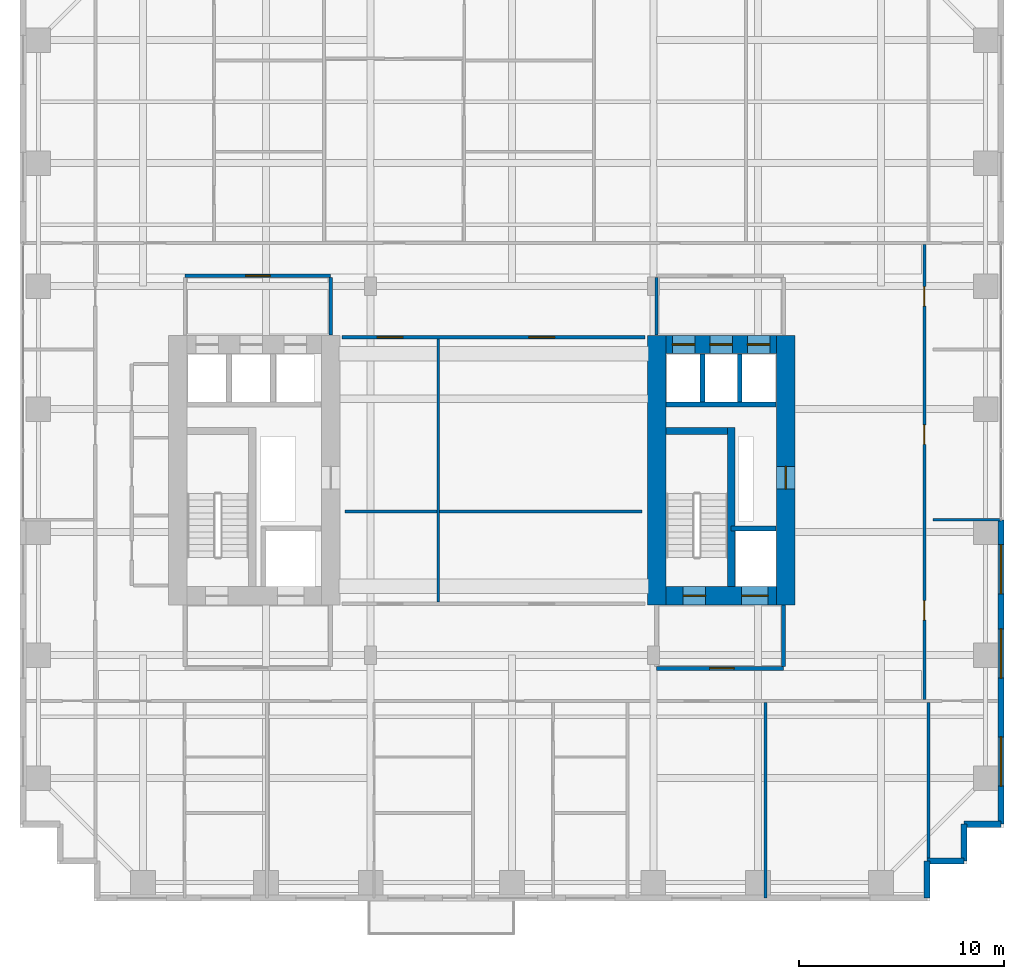
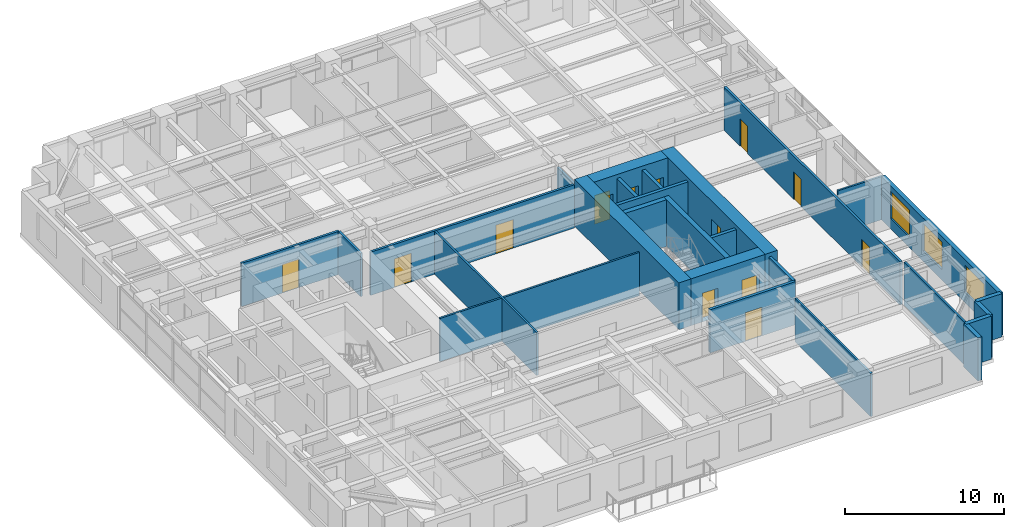
# One storey, part 13 of 19: 27 walls, 13 doors, 3 windows, 16 openings.
"""IFC4 building model written with IfcOpenShell, lengths in metres."""

from ifc_helpers import new_model, si_unit, direction, frame, frame_2d, origin, place, context, subcontext, project, spatial, rectangle, extrude, source, transform, mapped, material, layer, layer_set, type_object, element, fill, save


model = new_model("IFC4")

# Units and contexts
model_context = context("Model", 3, precision=1e-05, world=origin(), true_north=direction((0.0, 1.0)))
body_context = subcontext(model_context, "Body", "Model", "MODEL_VIEW")
ifc_project = project(units=[si_unit("LENGTHUNIT", "METRE"), si_unit("AREAUNIT", "SQUARE_METRE"), si_unit("VOLUMEUNIT", "CUBIC_METRE"), si_unit("PLANEANGLEUNIT", "RADIAN"), si_unit("MASSUNIT", "GRAM", prefix="KILO")], contexts=[model_context])

# Site, building, storey
site_placement = place(None, origin())
site = spatial("IfcSite", under=ifc_project, at=site_placement, CompositionType="ELEMENT")
building_placement = place(site_placement, origin())
building = spatial("IfcBuilding", under=site, at=building_placement, Name="Khoralis Quay Care Tower", CompositionType="ELEMENT")
storey_placement = place(building_placement, frame((0.0, 0.0, 69.300048828125)))
storey = spatial("IfcBuildingStorey", under=building, at=storey_placement, Name="L18", CompositionType="ELEMENT", Elevation=69.300048828125)

# Wall, opening, door
ifc_material_1 = material(Name="Gypsum plasterboard on acoustic metal stud")
ifc_layer_1 = layer(ifc_material_1, 0.199951171875)
ifc_layer_set_1 = layer_set([ifc_layer_1], Name="Gypsum plasterboard on acoustic metal stud")
wall_type_1 = type_object("IfcWallType", Name="WL-COMP-200", PredefinedType="PARTITIONING", material=ifc_layer_set_1)
wall_1_placement = place(storey_placement, frame((31.050048828125, 11.35009765625, 0.0), z_axis=(0.0, 0.0, 1.0), x_axis=(1.0, 0.0, 0.0)))
wall_1 = element("IfcWall", 1, at=wall_1_placement, inside=storey, type_object=wall_type_1, Name="L18 East Firefighting Lobby South Wall", PredefinedType="PARTITIONING", context=body_context, shape_type="SweptSolid", body=[
    extrude(rectangle(XDim=6.199951171875, YDim=0.199951171875, at=frame_2d((3.10009765625, 0.0))), origin(), (0.0, 0.0, 1.0), 3.320068359375),
])
opening_1_placement = place(wall_1_placement, frame((2.585693359375, 0.0, 0.0)))
opening_1 = element("IfcOpeningElement", 2, at=opening_1_placement, cuts=wall_1, Name="Opening FD1", PredefinedType="OPENING", context=body_context, shape_type="SweptSolid", body=[
    extrude(rectangle(XDim=1.199951171875, YDim=2.199951171875, at=frame_2d((0.60009765625, 1.10009765625))), frame((0.0, 0.10986328125, 0.0), z_axis=(0.0, -1.0, 0.0), x_axis=(1.0, 0.0, 0.0)), (0.0, 0.0, 1.0), 0.219970703125),
])
ifc_material_2 = material(Name="Fire-rated painted steel", Category="steel")
door_type_1 = type_object("IfcDoorType", Name="DR-FFL-1200X2200", OperationType="NOTDEFINED", PredefinedType="DOOR", material=ifc_material_2)
shared_shape_1 = source(origin(), body_context, "Body", "SweptSolid", [
    extrude(rectangle(XDim=1.199951171875, YDim=2.199951171875, at=frame_2d((0.60009765625, 1.10009765625))), frame((0.0, 0.02490234375, 0.0), z_axis=(0.0, -1.0, 0.0), x_axis=(1.0, 0.0, 0.0)), (0.0, 0.0, 1.0), 0.050048828125),
])
door_1_placement = place(opening_1_placement, origin())
door_1 = element("IfcDoor", 3, at=door_1_placement, inside=storey, type_object=door_type_1, Name="L18 East Firefighting Lobby Fire Door", OperationType="SINGLE_SWING_LEFT", OverallHeight=2.199951171875, OverallWidth=1.199951171875, PredefinedType="DOOR", context=body_context, shape_type="MappedRepresentation", body=[
    mapped(shared_shape_1, transform((0.0, 0.0, 0.0), scale=1.0)),
])
fill(opening_1, door_1)

# Walls
wall_2_placement = place(storey_placement, frame((37.25, 11.445068359375, 0.0), z_axis=(0.0, 0.0, 1.0), x_axis=(0.0, 1.0, 0.0)))
element("IfcWall", 4, at=wall_2_placement, inside=storey, type_object=wall_type_1, Name="L18 East Firefighting Lobby East Wall", PredefinedType="PARTITIONING", context=body_context, shape_type="SweptSolid", body=[
    extrude(rectangle(XDim=2.98486328125, YDim=0.199951171875, at=frame_2d((1.492431640625, 0.0))), origin(), (0.0, 0.0, 1.0), 3.320068359375),
])
ifc_material_3 = material(Name="Concrete C80/95", Category="concrete")
ifc_layer_2 = layer(ifc_material_3, 0.89990234375)
ifc_layer_set_2 = layer_set([ifc_layer_2], Name="Concrete C80/95")
wall_type_2 = type_object("IfcWallType", Name="WL-CORE-900", PredefinedType="SHEAR", material=ifc_layer_set_2)
wall_3_placement = place(storey_placement, frame((31.070068359375, 14.449951171875, 0.0), z_axis=(0.0, 0.0, 1.0), x_axis=(0.0, 1.0, 0.0)))
element("IfcWall", 5, at=wall_3_placement, inside=storey, type_object=wall_type_2, Name="L18 ECORE West Shear Wall", PredefinedType="SHEAR", context=body_context, shape_type="SweptSolid", body=[
    extrude(rectangle(XDim=13.150146484375, YDim=0.89990234375, at=frame_2d((6.5751953125, 0.0))), origin(), (0.0, 0.0, 1.0), 3.599853515625),
])

# Wall, opening, door
wall_4_placement = place(storey_placement, frame((37.35009765625, 14.449951171875, 0.0), z_axis=(0.0, 0.0, 1.0), x_axis=(0.0, 1.0, 0.0)))
wall_4 = element("IfcWall", 6, at=wall_4_placement, inside=storey, type_object=wall_type_2, Name="L18 ECORE East Shear Wall", PredefinedType="SHEAR", context=body_context, shape_type="SweptSolid", body=[
    extrude(rectangle(XDim=13.150146484375, YDim=0.89990234375, at=frame_2d((6.5751953125, 0.0))), origin(), (0.0, 0.0, 1.0), 3.599853515625),
])
opening_2_placement = place(wall_4_placement, frame((5.64990234375, 0.0, 0.0)))
opening_2 = element("IfcOpeningElement", 7, at=opening_2_placement, cuts=wall_4, Name="Opening SD1", PredefinedType="OPENING", context=body_context, shape_type="SweptSolid", body=[
    extrude(rectangle(XDim=1.10009765625, YDim=2.199951171875, at=frame_2d((0.550048828125, 1.10009765625))), frame((0.0, 0.4599609375, 0.0), z_axis=(0.0, -1.0, 0.0), x_axis=(1.0, 0.0, 0.0)), (0.0, 0.0, 1.0), 0.919921875),
])
door_type_2 = type_object("IfcDoorType", Name="DR-STAIR-1100X2200", OperationType="NOTDEFINED", PredefinedType="DOOR", material=ifc_material_2)
shared_shape_2 = source(origin(), body_context, "Body", "SweptSolid", [
    extrude(rectangle(XDim=1.10009765625, YDim=2.199951171875, at=frame_2d((0.550048828125, 1.10009765625))), frame((0.0, 0.02490234375, 0.0), z_axis=(0.0, -1.0, 0.0), x_axis=(1.0, 0.0, 0.0)), (0.0, 0.0, 1.0), 0.050048828125),
])
door_2_placement = place(opening_2_placement, frame((1.10009765625, 0.0, 0.0), z_axis=(0.0, 0.0, 1.0), x_axis=(-1.0, 0.0, 0.0)))
door_2 = element("IfcDoor", 8, at=door_2_placement, inside=storey, type_object=door_type_2, Name="L18 East MEP Riser Door", OperationType="SINGLE_SWING_LEFT", OverallHeight=2.199951171875, OverallWidth=1.10009765625, PredefinedType="DOOR", context=body_context, shape_type="MappedRepresentation", body=[
    mapped(shared_shape_2, transform((0.0, 0.0, 0.0), scale=1.0)),
])
fill(opening_2, door_2)

# Wall, openings, doors
wall_5_placement = place(storey_placement, frame((31.52001953125, 14.89990234375, 0.0), z_axis=(0.0, 0.0, 1.0), x_axis=(1.0, 0.0, 0.0)))
wall_5 = element("IfcWall", 9, at=wall_5_placement, inside=storey, type_object=wall_type_2, Name="L18 ECORE South Shear Wall", PredefinedType="SHEAR", context=body_context, shape_type="SweptSolid", body=[
    extrude(rectangle(XDim=5.3798828125, YDim=0.89990234375, at=frame_2d((2.68994140625, 0.0))), origin(), (0.0, 0.0, 1.0), 3.599853515625),
])
opening_3_placement = place(wall_5_placement, frame((0.830078125, 0.0, 0.0)))
opening_3 = element("IfcOpeningElement", 10, at=opening_3_placement, cuts=wall_5, Name="Opening SD1", PredefinedType="OPENING", context=body_context, shape_type="SweptSolid", body=[
    extrude(rectangle(XDim=1.10009765625, YDim=2.199951171875, at=frame_2d((0.550048828125, 1.10009765625))), frame((0.0, 0.4599609375, 0.0), z_axis=(0.0, -1.0, 0.0), x_axis=(1.0, 0.0, 0.0)), (0.0, 0.0, 1.0), 0.919921875),
])
opening_4_placement = place(wall_5_placement, frame((3.679931640625, 0.0, 0.0)))
opening_4 = element("IfcOpeningElement", 11, at=opening_4_placement, cuts=wall_5, Name="Opening LD2", PredefinedType="OPENING", context=body_context, shape_type="SweptSolid", body=[
    extrude(rectangle(XDim=1.300048828125, YDim=2.199951171875, at=frame_2d((0.64990234375, 1.10009765625))), frame((0.0, 0.4599609375, 0.0), z_axis=(0.0, -1.0, 0.0), x_axis=(1.0, 0.0, 0.0)), (0.0, 0.0, 1.0), 0.919921875),
])
door_3_placement = place(opening_3_placement, origin())
door_3 = element("IfcDoor", 12, at=door_3_placement, inside=storey, type_object=door_type_2, Name="L18 Stair ST-T2 Fire Door", OperationType="SINGLE_SWING_LEFT", OverallHeight=2.199951171875, OverallWidth=1.10009765625, PredefinedType="DOOR", context=body_context, shape_type="MappedRepresentation", body=[
    mapped(shared_shape_2, transform((0.0, 0.0, 0.0), scale=1.0)),
])
fill(opening_3, door_3)
ifc_material_4 = material(Name="Brushed stainless steel", Category="steel")
door_type_3 = type_object("IfcDoorType", Name="DR-LIFT-1300X2200", OperationType="SLIDING_TO_RIGHT", PredefinedType="DOOR", material=ifc_material_4)
shared_shape_3 = source(origin(), body_context, "Body", "SweptSolid", [
    extrude(rectangle(XDim=1.300048828125, YDim=2.199951171875, at=frame_2d((0.64990234375, 1.10009765625))), frame((0.0, 0.02490234375, 0.0), z_axis=(0.0, -1.0, 0.0), x_axis=(1.0, 0.0, 0.0)), (0.0, 0.0, 1.0), 0.050048828125),
])
door_4_placement = place(opening_4_placement, origin())
door_4 = element("IfcDoor", 13, at=door_4_placement, inside=storey, type_object=door_type_3, Name="L18 Firefighting Lift FFL-2 Landing Door", OperationType="SLIDING_TO_RIGHT", OverallHeight=2.199951171875, OverallWidth=1.300048828125, PredefinedType="DOOR", context=body_context, shape_type="MappedRepresentation", body=[
    mapped(shared_shape_3, transform((0.0, 0.0, 0.0), scale=1.0)),
])
fill(opening_4, door_4)

wall_6_placement = place(storey_placement, frame((31.52001953125, 27.14990234375, 0.0), z_axis=(0.0, 0.0, 1.0), x_axis=(1.0, 0.0, 0.0)))
wall_6 = element("IfcWall", 14, at=wall_6_placement, inside=storey, type_object=wall_type_2, Name="L18 ECORE North Shear Wall", PredefinedType="SHEAR", context=body_context, shape_type="SweptSolid", body=[
    extrude(rectangle(XDim=5.3798828125, YDim=0.89990234375, at=frame_2d((2.68994140625, 0.0))), origin(), (0.0, 0.0, 1.0), 3.599853515625),
])
opening_5_placement = place(wall_6_placement, frame((0.300048828125, 0.0, 0.0)))
opening_5 = element("IfcOpeningElement", 15, at=opening_5_placement, cuts=wall_6, Name="Opening LD1", PredefinedType="OPENING", context=body_context, shape_type="SweptSolid", body=[
    extrude(rectangle(XDim=1.10009765625, YDim=2.199951171875, at=frame_2d((0.550048828125, 1.10009765625))), frame((0.0, 0.4599609375, 0.0), z_axis=(0.0, -1.0, 0.0), x_axis=(1.0, 0.0, 0.0)), (0.0, 0.0, 1.0), 0.919921875),
])
opening_6_placement = place(wall_6_placement, frame((2.1298828125, 0.0, 0.0)))
opening_6 = element("IfcOpeningElement", 16, at=opening_6_placement, cuts=wall_6, Name="Opening LD1", PredefinedType="OPENING", context=body_context, shape_type="SweptSolid", body=[
    extrude(rectangle(XDim=1.10009765625, YDim=2.199951171875, at=frame_2d((0.550048828125, 1.10009765625))), frame((0.0, 0.4599609375, 0.0), z_axis=(0.0, -1.0, 0.0), x_axis=(1.0, 0.0, 0.0)), (0.0, 0.0, 1.0), 0.919921875),
])
opening_7_placement = place(wall_6_placement, frame((3.9599609375, 0.0, 0.0)))
opening_7 = element("IfcOpeningElement", 17, at=opening_7_placement, cuts=wall_6, Name="Opening LD1", PredefinedType="OPENING", context=body_context, shape_type="SweptSolid", body=[
    extrude(rectangle(XDim=1.10009765625, YDim=2.199951171875, at=frame_2d((0.550048828125, 1.10009765625))), frame((0.0, 0.4599609375, 0.0), z_axis=(0.0, -1.0, 0.0), x_axis=(1.0, 0.0, 0.0)), (0.0, 0.0, 1.0), 0.919921875),
])
door_type_4 = type_object("IfcDoorType", Name="DR-LIFT-1100X2200", OperationType="SLIDING_TO_LEFT", PredefinedType="DOOR", material=ifc_material_4)
shared_shape_4 = source(origin(), body_context, "Body", "SweptSolid", [
    extrude(rectangle(XDim=1.10009765625, YDim=2.199951171875, at=frame_2d((0.550048828125, 1.10009765625))), frame((0.0, 0.02490234375, 0.0), z_axis=(0.0, -1.0, 0.0), x_axis=(1.0, 0.0, 0.0)), (0.0, 0.0, 1.0), 0.050048828125),
])
door_5_placement = place(opening_5_placement, origin())
door_5 = element("IfcDoor", 18, at=door_5_placement, inside=storey, type_object=door_type_4, Name="L18 Lift PLL2 Landing Door", OperationType="SLIDING_TO_LEFT", OverallHeight=2.199951171875, OverallWidth=1.10009765625, PredefinedType="DOOR", context=body_context, shape_type="MappedRepresentation", body=[
    mapped(shared_shape_4, transform((0.0, 0.0, 0.0), scale=1.0)),
])
fill(opening_5, door_5)
door_6_placement = place(opening_6_placement, origin())
door_6 = element("IfcDoor", 19, at=door_6_placement, inside=storey, type_object=door_type_4, Name="L18 Lift PLM2 Landing Door", OperationType="SLIDING_TO_LEFT", OverallHeight=2.199951171875, OverallWidth=1.10009765625, PredefinedType="DOOR", context=body_context, shape_type="MappedRepresentation", body=[
    mapped(shared_shape_4, transform((0.0, 0.0, 0.0), scale=1.0)),
])
fill(opening_6, door_6)
door_7_placement = place(opening_7_placement, origin())
door_7 = element("IfcDoor", 20, at=door_7_placement, inside=storey, type_object=door_type_4, Name="L18 Lift PLH2 Landing Door", OperationType="SLIDING_TO_LEFT", OverallHeight=2.199951171875, OverallWidth=1.10009765625, PredefinedType="DOOR", context=body_context, shape_type="MappedRepresentation", body=[
    mapped(shared_shape_4, transform((0.0, 0.0, 0.0), scale=1.0)),
])
fill(opening_7, door_7)

# Wall, opening, door
ifc_layer_3 = layer(ifc_material_1, 0.1650390625)
ifc_layer_set_3 = layer_set([ifc_layer_3], Name="Gypsum plasterboard on acoustic metal stud")
wall_type_3 = type_object("IfcWallType", Name="WL-CORR-165", PredefinedType="PARTITIONING", material=ifc_layer_set_3)
wall_7_placement = place(storey_placement, frame((8.050048828125, 30.5, 0.0), z_axis=(0.0, 0.0, 1.0), x_axis=(1.0, 0.0, 0.0)))
wall_7 = element("IfcWall", 21, at=wall_7_placement, inside=storey, type_object=wall_type_3, Name="L18 West Lift Lobby North Wall", PredefinedType="PARTITIONING", context=body_context, shape_type="SweptSolid", body=[
    extrude(rectangle(XDim=7.099853515625, YDim=0.1650390625, at=frame_2d((3.5498046875, 0.0))), origin(), (0.0, 0.0, 1.0), 3.320068359375),
])
opening_8_placement = place(wall_7_placement, frame((2.949951171875, 0.0, 0.0)))
opening_8 = element("IfcOpeningElement", 22, at=opening_8_placement, cuts=wall_7, Name="Opening FD1", PredefinedType="OPENING", context=body_context, shape_type="SweptSolid", body=[
    extrude(rectangle(XDim=1.199951171875, YDim=2.199951171875, at=frame_2d((0.60009765625, 1.10009765625))), frame((0.0, 0.092529296875, 0.0), z_axis=(0.0, -1.0, 0.0), x_axis=(1.0, 0.0, 0.0)), (0.0, 0.0, 1.0), 0.18505859375),
])
door_8_placement = place(opening_8_placement, origin())
door_8 = element("IfcDoor", 23, at=door_8_placement, inside=storey, type_object=door_type_1, Name="L18 West Lift Lobby Double Door", OperationType="DOUBLE_DOOR_SINGLE_SWING", OverallHeight=2.199951171875, OverallWidth=1.199951171875, PredefinedType="DOOR", context=body_context, shape_type="MappedRepresentation", body=[
    mapped(shared_shape_1, transform((0.0, 0.0, 0.0), scale=1.0)),
])
fill(opening_8, door_8)

# Walls
wall_8_placement = place(storey_placement, frame((15.14990234375, 27.6201171875, 0.0), z_axis=(0.0, 0.0, 1.0), x_axis=(0.0, 1.0, 0.0)))
element("IfcWall", 24, at=wall_8_placement, inside=storey, type_object=wall_type_3, Name="L18 West Lift Lobby East Wall", PredefinedType="PARTITIONING", context=body_context, shape_type="SweptSolid", body=[
    extrude(rectangle(XDim=2.802490234375, YDim=0.1650390625, at=frame_2d((1.4013671875, 0.0))), origin(), (0.0, 0.0, 1.0), 3.320068359375),
])
wall_9_placement = place(storey_placement, frame((31.050048828125, 27.6201171875, 0.0), z_axis=(0.0, 0.0, 1.0), x_axis=(0.0, 1.0, 0.0)))
element("IfcWall", 25, at=wall_9_placement, inside=storey, type_object=wall_type_3, Name="L18 East Lift Lobby West Wall", PredefinedType="PARTITIONING", context=body_context, shape_type="SweptSolid", body=[
    extrude(rectangle(XDim=2.802490234375, YDim=0.1650390625, at=frame_2d((1.4013671875, 0.0))), origin(), (0.0, 0.0, 1.0), 2.703857421875),
])

# Wall, openings, doors
wall_10_placement = place(storey_placement, frame((44.1201171875, 9.83740234375, 0.0), z_axis=(0.0, 0.0, 1.0), x_axis=(0.0, 1.0, 0.0)))
wall_10 = element("IfcWall", 26, at=wall_10_placement, inside=storey, type_object=wall_type_3, Name="L18 East Loop Corridor Wall", PredefinedType="PARTITIONING", context=body_context, shape_type="SweptSolid", body=[
    extrude(rectangle(XDim=22.18505859375, YDim=0.1650390625, at=frame_2d((11.092529296875, 0.0))), origin(), (0.0, 0.0, 1.0), 3.320068359375),
])
opening_9_placement = place(wall_10_placement, frame((3.867431640625, 0.0, 0.0)))
opening_9 = element("IfcOpeningElement", 27, at=opening_9_placement, cuts=wall_10, Name="Opening ID1", PredefinedType="OPENING", context=body_context, shape_type="SweptSolid", body=[
    extrude(rectangle(XDim=0.949951171875, YDim=2.10009765625, at=frame_2d((0.47509765625, 1.050048828125))), frame((0.0, 0.092529296875, 0.0), z_axis=(0.0, -1.0, 0.0), x_axis=(1.0, 0.0, 0.0)), (0.0, 0.0, 1.0), 0.18505859375),
])
opening_10_placement = place(wall_10_placement, frame((12.4375, 0.0, 0.0)))
opening_10 = element("IfcOpeningElement", 28, at=opening_10_placement, cuts=wall_10, Name="Opening ID1", PredefinedType="OPENING", context=body_context, shape_type="SweptSolid", body=[
    extrude(rectangle(XDim=0.949951171875, YDim=2.10009765625, at=frame_2d((0.47509765625, 1.050048828125))), frame((0.0, 0.092529296875, 0.0), z_axis=(0.0, -1.0, 0.0), x_axis=(1.0, 0.0, 0.0)), (0.0, 0.0, 1.0), 0.18505859375),
])
opening_11_placement = place(wall_10_placement, frame((19.1875, 0.0, 0.0)))
opening_11 = element("IfcOpeningElement", 29, at=opening_11_placement, cuts=wall_10, Name="Opening ID1", PredefinedType="OPENING", context=body_context, shape_type="SweptSolid", body=[
    extrude(rectangle(XDim=0.949951171875, YDim=2.10009765625, at=frame_2d((0.47509765625, 1.050048828125))), frame((0.0, 0.092529296875, 0.0), z_axis=(0.0, -1.0, 0.0), x_axis=(1.0, 0.0, 0.0)), (0.0, 0.0, 1.0), 0.18505859375),
])
ifc_material_5 = material(Name="Acoustic hardwood timber", Category="wood")
door_type_5 = type_object("IfcDoorType", Name="DR-ROOM-950X2100", OperationType="NOTDEFINED", PredefinedType="DOOR", material=ifc_material_5)
shared_shape_5 = source(origin(), body_context, "Body", "SweptSolid", [
    extrude(rectangle(XDim=0.949951171875, YDim=2.10009765625, at=frame_2d((0.47509765625, 1.050048828125))), frame((0.0, 0.02490234375, 0.0), z_axis=(0.0, -1.0, 0.0), x_axis=(1.0, 0.0, 0.0)), (0.0, 0.0, 1.0), 0.050048828125),
])
door_9_placement = place(opening_9_placement, frame((0.949951171875, 0.0, 0.0), z_axis=(0.0, 0.0, 1.0), x_axis=(-1.0, 0.0, 0.0)))
door_9 = element("IfcDoor", 30, at=door_9_placement, inside=storey, type_object=door_type_5, Name="L18 Therapy Consultation Room Door", OperationType="SINGLE_SWING_LEFT", OverallHeight=2.10009765625, OverallWidth=0.949951171875, PredefinedType="DOOR", context=body_context, shape_type="MappedRepresentation", body=[
    mapped(shared_shape_5, transform((0.0, 0.0, 0.0), scale=1.0)),
])
fill(opening_9, door_9)
door_10_placement = place(opening_10_placement, frame((0.949951171875, 0.0, 0.0), z_axis=(0.0, 0.0, 1.0), x_axis=(-1.0, 0.0, 0.0)))
door_10 = element("IfcDoor", 31, at=door_10_placement, inside=storey, type_object=door_type_5, Name="L18 Assisted Activity Lounge Door", OperationType="SINGLE_SWING_RIGHT", OverallHeight=2.10009765625, OverallWidth=0.949951171875, PredefinedType="DOOR", context=body_context, shape_type="MappedRepresentation", body=[
    mapped(shared_shape_5, transform((0.0, 0.0, 0.0), scale=1.0)),
])
fill(opening_10, door_10)
door_11_placement = place(opening_11_placement, frame((0.949951171875, 0.0, 0.0), z_axis=(0.0, 0.0, 1.0), x_axis=(-1.0, 0.0, 0.0)))
door_11 = element("IfcDoor", 32, at=door_11_placement, inside=storey, type_object=door_type_5, Name="L18 Nurse Charting Office Door", OperationType="SINGLE_SWING_LEFT", OverallHeight=2.10009765625, OverallWidth=0.949951171875, PredefinedType="DOOR", context=body_context, shape_type="MappedRepresentation", body=[
    mapped(shared_shape_5, transform((0.0, 0.0, 0.0), scale=1.0)),
])
fill(opening_11, door_11)

wall_11_placement = place(storey_placement, frame((15.699951171875, 27.5, 0.0), z_axis=(0.0, 0.0, 1.0), x_axis=(1.0, 0.0, 0.0)))
wall_11 = element("IfcWall", 33, at=wall_11_placement, inside=storey, type_object=wall_type_3, Name="L18 Central Clinical North Wall", PredefinedType="PARTITIONING", context=body_context, shape_type="SweptSolid", body=[
    extrude(rectangle(XDim=14.800048828125, YDim=0.1650390625, at=frame_2d((7.39990234375, 0.0))), origin(), (0.0, 0.0, 1.0), 3.320068359375),
])
opening_12_placement = place(wall_11_placement, frame((1.72509765625, 0.0, 0.0)))
opening_12 = element("IfcOpeningElement", 34, at=opening_12_placement, cuts=wall_11, Name="Opening CD1", PredefinedType="OPENING", context=body_context, shape_type="SweptSolid", body=[
    extrude(rectangle(XDim=1.25, YDim=2.199951171875, at=frame_2d((0.625, 1.10009765625))), frame((0.0, 0.092529296875, 0.0), z_axis=(0.0, -1.0, 0.0), x_axis=(1.0, 0.0, 0.0)), (0.0, 0.0, 1.0), 0.18505859375),
])
opening_13_placement = place(wall_11_placement, frame((9.125, 0.0, 0.0)))
opening_13 = element("IfcOpeningElement", 35, at=opening_13_placement, cuts=wall_11, Name="Opening CD1", PredefinedType="OPENING", context=body_context, shape_type="SweptSolid", body=[
    extrude(rectangle(XDim=1.25, YDim=2.199951171875, at=frame_2d((0.625, 1.10009765625))), frame((0.0, 0.092529296875, 0.0), z_axis=(0.0, -1.0, 0.0), x_axis=(1.0, 0.0, 0.0)), (0.0, 0.0, 1.0), 0.18505859375),
])
door_type_6 = type_object("IfcDoorType", Name="DR-CARE-1250X2200", OperationType="NOTDEFINED", PredefinedType="DOOR", material=ifc_material_5)
shared_shape_6 = source(origin(), body_context, "Body", "SweptSolid", [
    extrude(rectangle(XDim=1.25, YDim=2.199951171875, at=frame_2d((0.625, 1.10009765625))), frame((0.0, 0.02490234375, 0.0), z_axis=(0.0, -1.0, 0.0), x_axis=(1.0, 0.0, 0.0)), (0.0, 0.0, 1.0), 0.050048828125),
])
door_12_placement = place(opening_12_placement, frame((1.25, 0.0, 0.0), z_axis=(0.0, 0.0, 1.0), x_axis=(-1.0, 0.0, 0.0)))
door_12 = element("IfcDoor", 36, at=door_12_placement, inside=storey, type_object=door_type_6, Name="L18 Library Lounge Door", OperationType="SINGLE_SWING_LEFT", OverallHeight=2.199951171875, OverallWidth=1.25, PredefinedType="DOOR", context=body_context, shape_type="MappedRepresentation", body=[
    mapped(shared_shape_6, transform((0.0, 0.0, 0.0), scale=1.0)),
])
fill(opening_12, door_12)
door_13_placement = place(opening_13_placement, frame((1.25, 0.0, 0.0), z_axis=(0.0, 0.0, 1.0), x_axis=(-1.0, 0.0, 0.0)))
door_13 = element("IfcDoor", 37, at=door_13_placement, inside=storey, type_object=door_type_6, Name="L18 Occupational Therapy Door", OperationType="SINGLE_SWING_RIGHT", OverallHeight=2.199951171875, OverallWidth=1.25, PredefinedType="DOOR", context=body_context, shape_type="MappedRepresentation", body=[
    mapped(shared_shape_6, transform((0.0, 0.0, 0.0), scale=1.0)),
])
fill(opening_13, door_13)

# Walls
ifc_material_6 = material(Name="Precast concrete C45/55", Category="concrete")
ifc_layer_4 = layer(ifc_material_6, 0.300048828125)
ifc_layer_set_4 = layer_set([ifc_layer_4], Name="Precast concrete C45/55")
wall_type_4 = type_object("IfcWallType", Name="WL-EXT-REF-300", PredefinedType="SOLIDWALL", material=ifc_layer_set_4)
for number, where, z_axis, x_axis, name in (
    (38, (44.25, 0.14990234375, 0.0), (0.0, 0.0, 1.0), (0.0, 1.0, 0.0), "L18 External Facade Wall WL-EXT-L18-P1-C1"),
    (39, (44.25, 1.949951171875, 0.0), (0.0, 0.0, 1.0), (1.0, 0.0, 0.0), "L18 External Facade Wall WL-EXT-L18-P1-C2"),
    (40, (46.050048828125, 1.949951171875, 0.0), (0.0, 0.0, 1.0), (0.0, 1.0, 0.0), "L18 External Facade Wall WL-EXT-L18-P1-C3"),
    (41, (46.050048828125, 3.75, 0.0), (0.0, 0.0, 1.0), (1.0, 0.0, 0.0), "L18 External Facade Wall WL-EXT-L18-P1-C4"),
):
    element("IfcWall", number, at=place(storey_placement, frame(where, z_axis=z_axis, x_axis=x_axis)), inside=storey, type_object=wall_type_4, Name=name, PredefinedType="SOLIDWALL", context=body_context, shape_type="SweptSolid", body=[
        extrude(rectangle(XDim=1.800048828125, YDim=0.300048828125, at=frame_2d((0.89990234375, 0.0))), origin(), (0.0, 0.0, 1.0), 3.320068359375),
    ])

# Wall, openings, windows
wall_12_placement = place(storey_placement, frame((47.85009765625, 3.75, 0.0), z_axis=(0.0, 0.0, 1.0), x_axis=(0.0, 1.0, 0.0)))
wall_12 = element("IfcWall", 42, at=wall_12_placement, inside=storey, type_object=wall_type_4, Name="L18 External Facade Wall WL-EXT-L18-P1-E5A", PredefinedType="SOLIDWALL", context=body_context, shape_type="SweptSolid", body=[
    extrude(rectangle(XDim=14.85009765625, YDim=0.300048828125, at=frame_2d((7.425048828125, 0.0))), origin(), (0.0, 0.0, 1.0), 3.320068359375),
])
opening_14_placement = place(wall_12_placement, frame((1.85498046875, 0.0, 0.800048828125)))
opening_14 = element("IfcOpeningElement", 43, at=opening_14_placement, cuts=wall_12, Name="Opening W1", PredefinedType="OPENING", context=body_context, shape_type="SweptSolid", body=[
    extrude(rectangle(XDim=2.39990234375, YDim=2.10009765625, at=frame_2d((1.199951171875, 1.050048828125))), frame((0.0, 0.16015625, 0.0), z_axis=(0.0, -1.0, 0.0), x_axis=(1.0, 0.0, 0.0)), (0.0, 0.0, 1.0), 0.320068359375),
])
opening_15_placement = place(wall_12_placement, frame((7.125, 0.0, 0.800048828125)))
opening_15 = element("IfcOpeningElement", 44, at=opening_15_placement, cuts=wall_12, Name="Opening W1", PredefinedType="OPENING", context=body_context, shape_type="SweptSolid", body=[
    extrude(rectangle(XDim=2.39990234375, YDim=2.10009765625, at=frame_2d((1.199951171875, 1.050048828125))), frame((0.0, 0.16015625, 0.0), z_axis=(0.0, -1.0, 0.0), x_axis=(1.0, 0.0, 0.0)), (0.0, 0.0, 1.0), 0.320068359375),
])
opening_16_placement = place(wall_12_placement, frame((11.235107421875, 0.0, 0.800048828125)))
opening_16 = element("IfcOpeningElement", 45, at=opening_16_placement, cuts=wall_12, Name="Opening W1", PredefinedType="OPENING", context=body_context, shape_type="SweptSolid", body=[
    extrude(rectangle(XDim=2.39990234375, YDim=2.10009765625, at=frame_2d((1.199951171875, 1.050048828125))), frame((0.0, 0.16015625, 0.0), z_axis=(0.0, -1.0, 0.0), x_axis=(1.0, 0.0, 0.0)), (0.0, 0.0, 1.0), 0.320068359375),
])
ifc_material_7 = material(Name="Low-E solar-control double glazing", Category="glass")
window_type = type_object("IfcWindowType", Name="WN-POD-2400X2100", PartitioningType="SINGLE_PANEL", PredefinedType="WINDOW", material=ifc_material_7)
shared_shape_7 = source(origin(), body_context, "Body", "SweptSolid", [
    extrude(rectangle(XDim=2.39990234375, YDim=2.10009765625, at=frame_2d((1.199951171875, 1.050048828125))), frame((0.0, 0.030029296875, 0.0), z_axis=(0.0, -1.0, 0.0), x_axis=(1.0, 0.0, 0.0)), (0.0, 0.0, 1.0), 0.06005859375),
])
window_1_placement = place(opening_14_placement, origin())
window_1 = element("IfcWindow", 46, at=window_1_placement, inside=storey, type_object=window_type, Name="WN-L18-P1-E5A Facade Window 01", OverallHeight=2.10009765625, OverallWidth=2.39990234375, PartitioningType="SINGLE_PANEL", PredefinedType="WINDOW", context=body_context, shape_type="MappedRepresentation", body=[
    mapped(shared_shape_7, transform((0.0, 0.0, 0.0), scale=1.0)),
])
fill(opening_14, window_1)
window_2_placement = place(opening_15_placement, origin())
window_2 = element("IfcWindow", 47, at=window_2_placement, inside=storey, type_object=window_type, Name="WN-L18-P1-E5A Facade Window 02", OverallHeight=2.10009765625, OverallWidth=2.39990234375, PartitioningType="SINGLE_PANEL", PredefinedType="WINDOW", context=body_context, shape_type="MappedRepresentation", body=[
    mapped(shared_shape_7, transform((0.0, 0.0, 0.0), scale=1.0)),
])
fill(opening_15, window_2)
window_3_placement = place(opening_16_placement, origin())
window_3 = element("IfcWindow", 48, at=window_3_placement, inside=storey, type_object=window_type, Name="WN-L18-P1-E5A Facade Window 03", OverallHeight=2.10009765625, OverallWidth=2.39990234375, PartitioningType="SINGLE_PANEL", PredefinedType="WINDOW", context=body_context, shape_type="MappedRepresentation", body=[
    mapped(shared_shape_7, transform((0.0, 0.0, 0.0), scale=1.0)),
])
fill(opening_16, window_3)

# Walls
ifc_material_8 = material(Name="Concrete C40/50", Category="concrete")
ifc_layer_5 = layer(ifc_material_8, 0.35009765625)
ifc_layer_set_5 = layer_set([ifc_layer_5], Name="Concrete C40/50")
wall_type_5 = type_object("IfcWallType", Name="WL-SC-CORE-350", PredefinedType="SHEAR", material=ifc_layer_set_5)
wall_13_placement = place(storey_placement, frame((34.695068359375, 15.35009765625, 0.0), z_axis=(0.0, 0.0, 1.0), x_axis=(0.0, 1.0, 0.0)))
element("IfcWall", 49, at=wall_13_placement, inside=storey, type_object=wall_type_5, Name="L18 Stair ST-T2 Shear Baffle Wall East", PredefinedType="SHEAR", context=body_context, shape_type="SweptSolid", body=[
    extrude(rectangle(XDim=7.75, YDim=0.35009765625, at=frame_2d((3.875, 0.0))), origin(), (0.0, 0.0, 1.0), 3.599853515625),
])
wall_14_placement = place(storey_placement, frame((31.52001953125, 22.925048828125, 0.0), z_axis=(0.0, 0.0, 1.0), x_axis=(1.0, 0.0, 0.0)))
element("IfcWall", 50, at=wall_14_placement, inside=storey, type_object=wall_type_5, Name="L18 Stair ST-T2 Shear Baffle Wall North", PredefinedType="SHEAR", context=body_context, shape_type="SweptSolid", body=[
    extrude(rectangle(XDim=3.0, YDim=0.35009765625, at=frame_2d((1.5, 0.0))), origin(), (0.0, 0.0, 1.0), 3.599853515625),
])
ifc_layer_6 = layer(ifc_material_1, 0.239990234375)
ifc_layer_set_6 = layer_set([ifc_layer_6], Name="Gypsum plasterboard on acoustic metal stud")
wall_type_6 = type_object("IfcWallType", Name="WL-SHAFT-240", PredefinedType="PARTITIONING", material=ifc_layer_set_6)
wall_15_placement = place(storey_placement, frame((34.679931640625, 18.169921875, 0.0), z_axis=(0.0, 0.0, 1.0), x_axis=(1.0, 0.0, 0.0)))
element("IfcWall", 51, at=wall_15_placement, inside=storey, type_object=wall_type_6, Name="L18 FFL-2 Shaft Wall North", PredefinedType="PARTITIONING", context=body_context, shape_type="SweptSolid", body=[
    extrude(rectangle(XDim=2.199951171875, YDim=0.239990234375, at=frame_2d((1.10009765625, 0.0))), origin(), (0.0, 0.0, 1.0), 3.320068359375),
])
wall_16_placement = place(storey_placement, frame((31.52001953125, 24.22998046875, 0.0), z_axis=(0.0, 0.0, 1.0), x_axis=(1.0, 0.0, 0.0)))
element("IfcWall", 52, at=wall_16_placement, inside=storey, type_object=wall_type_6, Name="L18 East Passenger Shaft South Wall", PredefinedType="PARTITIONING", context=body_context, shape_type="SweptSolid", body=[
    extrude(rectangle(XDim=5.35986328125, YDim=0.239990234375, at=frame_2d((2.679931640625, 0.0))), origin(), (0.0, 0.0, 1.0), 3.320068359375),
])
for number, where, z_axis, x_axis, name in (
    (53, (33.2900390625, 24.344970703125, 0.0), (0.0, 0.0, 1.0), (0.0, 1.0, 0.0), "L18 East Shaft Divider 1"),
    (54, (35.110107421875, 24.344970703125, 0.0), (0.0, 0.0, 1.0), (0.0, 1.0, 0.0), "L18 East Shaft Divider 2"),
):
    element("IfcWall", number, at=place(storey_placement, frame(where, z_axis=z_axis, x_axis=x_axis)), inside=storey, type_object=wall_type_6, Name=name, PredefinedType="PARTITIONING", context=body_context, shape_type="SweptSolid", body=[
        extrude(rectangle(XDim=2.3349609375, YDim=0.239990234375, at=frame_2d((1.16748046875, 0.0))), origin(), (0.0, 0.0, 1.0), 3.320068359375),
    ])
ifc_layer_7 = layer(ifc_material_1, 0.139892578125)
ifc_layer_set_7 = layer_set([ifc_layer_7], Name="Gypsum plasterboard on acoustic metal stud")
wall_type_7 = type_object("IfcWallType", Name="WL-UNIT-140", PredefinedType="PARTITIONING", material=ifc_layer_set_7)
wall_17_placement = place(storey_placement, frame((44.5400390625, 18.60009765625, 0.0), z_axis=(0.0, 0.0, 1.0), x_axis=(1.0, 0.0, 0.0)))
element("IfcWall", 55, at=wall_17_placement, inside=storey, type_object=wall_type_7, Name="L18 EE Divider 1", PredefinedType="PARTITIONING", context=body_context, shape_type="SweptSolid", body=[
    extrude(rectangle(XDim=3.31494140625, YDim=0.139892578125, at=frame_2d((1.657470703125, 0.0))), origin(), (0.0, 0.0, 1.0), 3.320068359375),
])
wall_18_placement = place(storey_placement, frame((20.39990234375, 14.577392578125, 0.0), z_axis=(0.0, 0.0, 1.0), x_axis=(0.0, 1.0, 0.0)))
element("IfcWall", 56, at=wall_18_placement, inside=storey, type_object=wall_type_7, Name="L18 Central Split V", PredefinedType="PARTITIONING", context=body_context, shape_type="SweptSolid", body=[
    extrude(rectangle(XDim=12.84521484375, YDim=0.139892578125, at=frame_2d((6.422607421875, 0.0))), origin(), (0.0, 0.0, 1.0), 3.320068359375),
])
wall_19_placement = place(storey_placement, frame((15.85009765625, 19.0, 0.0), z_axis=(0.0, 0.0, 1.0), x_axis=(1.0, 0.0, 0.0)))
element("IfcWall", 57, at=wall_19_placement, inside=storey, type_object=wall_type_7, Name="L18 Central Split H", PredefinedType="PARTITIONING", context=body_context, shape_type="SweptSolid", body=[
    extrude(rectangle(XDim=14.5, YDim=0.139892578125, at=frame_2d((7.25, 0.0))), origin(), (0.0, 0.0, 1.0), 3.320068359375),
])
wall_20_placement = place(storey_placement, frame((36.3701171875, 0.14501953125, 0.0), z_axis=(0.0, 0.0, 1.0), x_axis=(0.0, 1.0, 0.0)))
element("IfcWall", 58, at=wall_20_placement, inside=storey, type_object=wall_type_7, Name="L18 SB Demising Wall 4", PredefinedType="PARTITIONING", context=body_context, shape_type="SweptSolid", body=[
    extrude(rectangle(XDim=9.53759765625, YDim=0.139892578125, at=frame_2d((4.768798828125, 0.0))), origin(), (0.0, 0.0, 1.0), 3.320068359375),
])
wall_21_placement = place(storey_placement, frame((44.320068359375, 1.945068359375, 0.0), z_axis=(0.0, 0.0, 1.0), x_axis=(0.0, 1.0, 0.0)))
element("IfcWall", 59, at=wall_21_placement, inside=storey, type_object=wall_type_7, Name="L18 SB Demising Wall 5", PredefinedType="PARTITIONING", context=body_context, shape_type="SweptSolid", body=[
    extrude(rectangle(XDim=7.737548828125, YDim=0.139892578125, at=frame_2d((3.86865234375, 0.0))), origin(), (0.0, 0.0, 1.0), 3.320068359375),
])

save(model, "model.ifc")
